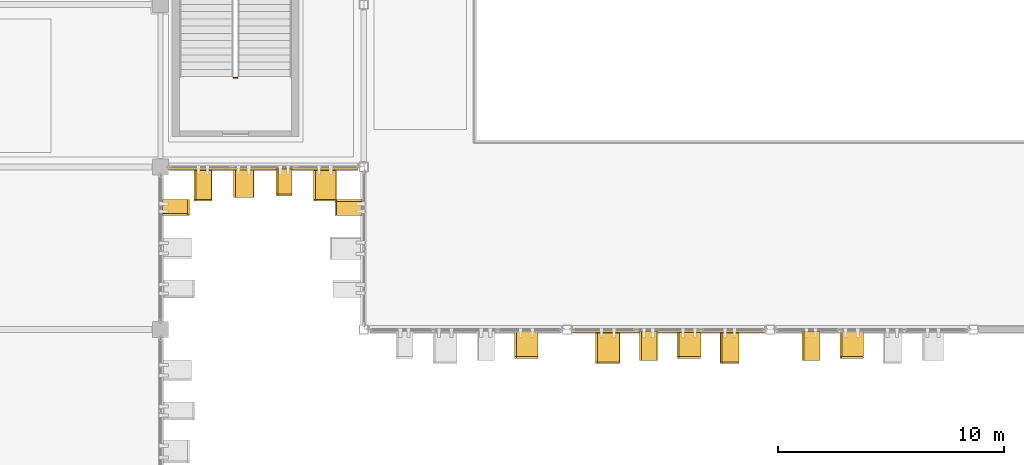
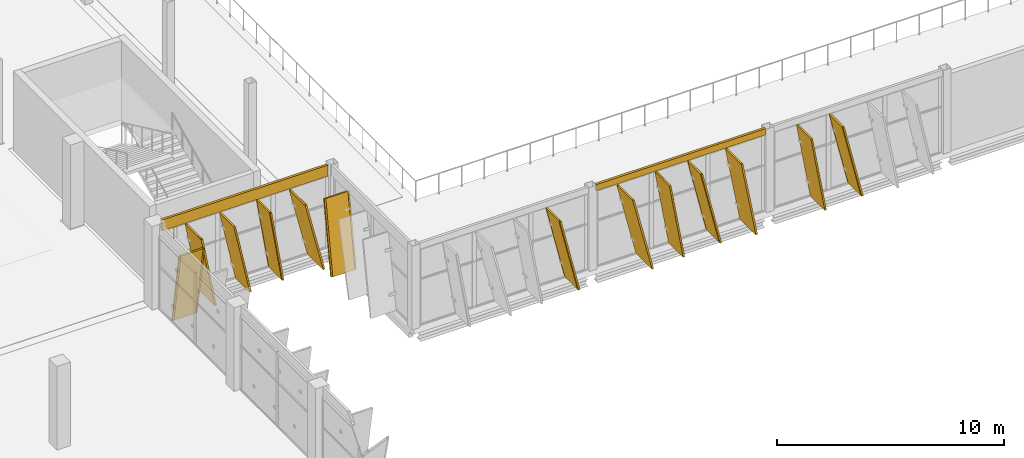
# One storey, part 137 of 151: 15 coverings, 13 shading devices, 1 railing.
"""IFC4 building model written with IfcOpenShell, lengths in metres."""

from ifc_helpers import new_model, si_unit, direction, frame, origin, origin_2d, place, context, subcontext, project, spatial, rectangle, circle, extrude, material, layer, layer_set, material_profile, profile_set, type_object, element, save


model = new_model("IFC4")

# Units and contexts
model_context = context("Model", 3, precision=1e-05, world=origin(), true_north=direction((0.0, 1.0)))
body_context = subcontext(model_context, "Body", "Model", "MODEL_VIEW")
ifc_project = project(units=[si_unit("LENGTHUNIT", "METRE"), si_unit("AREAUNIT", "SQUARE_METRE"), si_unit("VOLUMEUNIT", "CUBIC_METRE"), si_unit("PLANEANGLEUNIT", "RADIAN"), si_unit("MASSUNIT", "GRAM", prefix="KILO")], contexts=[model_context])

# Site, building, storey
site_placement = place(None, origin())
site = spatial("IfcSite", under=ifc_project, at=site_placement, CompositionType="ELEMENT")
building_placement = place(site_placement, origin())
building = spatial("IfcBuilding", under=site, at=building_placement, Name="Celestram Park Convention Centre", CompositionType="ELEMENT")
storey_placement = place(building_placement, frame((0.0, 0.0, 10.800048828125)))
storey = spatial("IfcBuildingStorey", under=building, at=storey_placement, Name="L02", CompositionType="ELEMENT", Elevation=10.800048828125)

# Coverings
ifc_material_1 = material(Name="Anodised Bronze Aluminium Spandrel Cladding", Category="aluminium")
ifc_layer_1 = layer(ifc_material_1, 0.050048828125)
ifc_layer_set_1 = layer_set([ifc_layer_1], Name="Anodised Bronze Aluminium Spandrel Cladding")
covering_type_1 = type_object("IfcCoveringType", Name="ARC-COV-CLD060", PredefinedType="CLADDING", material=ifc_layer_set_1)
covering_1_placement = place(storey_placement, frame((166.5, 115.1201171875, 4.1640625), z_axis=(0.0, 0.0, 1.0), x_axis=(-1.0, 0.0, 0.0)))
element("IfcCovering", 1, at=covering_1_placement, inside=storey, type_object=covering_type_1, Name="Bronze spandrel cladding CL-L02-177", PredefinedType="CLADDING", context=body_context, shape_type="SweptSolid", body=[
    extrude(rectangle(XDim=8.60400390625, YDim=0.1201171875, at=origin_2d()), origin(), (0.0, 0.0, 1.0), 0.3359375),
])
covering_2_placement = place(storey_placement, frame((148.5, 122.320068359375, 3.9140625), z_axis=(0.0, 0.0, 1.0), x_axis=(-1.0, 0.0, 0.0)))
element("IfcCovering", 2, at=covering_2_placement, inside=storey, type_object=covering_type_1, Name="Bronze spandrel cladding CL-L02-180", PredefinedType="CLADDING", context=body_context, shape_type="SweptSolid", body=[
    extrude(rectangle(XDim=8.4541015625, YDim=0.1201171875, at=origin_2d()), origin(), (0.0, 0.0, 1.0), 0.5859375),
])
ifc_material_2 = material(Name="Timber-Toned Anodised Aluminium Alloy 6063-T6", Category="wood")
ifc_material_profile_1 = material_profile(ifc_material_2, rectangle(XDim=1.1201171875, YDim=0.090087890625, at=origin_2d()), Name="REED1120X90")
ifc_profile_set_1 = profile_set([ifc_material_profile_1], Name="Timber-Toned Anodised Aluminium Alloy 6063-T6")
covering_type_2 = type_object("IfcCoveringType", Name="ARC-COV-FIN1120", PredefinedType="CLADDING", material=ifc_profile_set_1)
for number, where, z_axis, x_axis, name in (
    (3, (175.0791015625, 114.56005859375, 0.061279296875), (-0.231737624741, 0.0, 0.972778326896), (0.0, -1.0, 0.0), "Leaning timber-toned reed fin RFN-L02-0552"),
    (4, (167.87890625, 114.56005859375, 0.061279296875), (-0.231737624741, 0.0, 0.972778326896), (0.0, -1.0, 0.0), "Leaning timber-toned reed fin RFN-L02-0555"),
    (5, (160.678955078125, 114.56005859375, 0.061279296875), (-0.231737624741, 0.0, 0.972778326896), (0.0, -1.0, 0.0), "Leaning timber-toned reed fin RFN-L02-0558"),
):
    element("IfcCovering", number, at=place(storey_placement, frame(where, z_axis=z_axis, x_axis=x_axis)), inside=storey, type_object=covering_type_2, Name=name, PredefinedType="CLADDING", context=body_context, shape_type="SweptSolid", body=[
        extrude(rectangle(XDim=1.1201171875, YDim=0.090087890625, at=origin_2d()), origin(), (0.0, 0.0, 1.0), 4.134033203125),
    ])
for number, where, z_axis, x_axis, name in (
    (6, (152.360107421875, 120.28955078125, 0.030029296875), (0.0, 0.159850990721, 0.987141155441), (-1.0, 0.0, 0.0), "Leaning timber-toned reed fin RFN-L02-0564"),
    (7, (149.785400390625, 121.760009765625, 0.030029296875), (-0.159850990721, 0.0, 0.987141155441), (0.0, -1.0, 0.0), "Leaning timber-toned reed fin RFN-L02-0566"),
    (8, (144.639892578125, 120.910400390625, 0.030029296875), (0.0, -0.159850990721, 0.987141155441), (1.0, 0.0, 0.0), "Leaning timber-toned reed fin RFN-L02-0569"),
):
    element("IfcCovering", number, at=place(storey_placement, frame(where, z_axis=z_axis, x_axis=x_axis)), inside=storey, type_object=covering_type_2, Name=name, PredefinedType="CLADDING", context=body_context, shape_type="SweptSolid", body=[
        extrude(rectangle(XDim=1.1201171875, YDim=0.090087890625, at=origin_2d()), origin(), (0.0, 0.0, 1.0), 3.884033203125),
    ])
ifc_material_profile_2 = material_profile(ifc_material_2, rectangle(XDim=1.280029296875, YDim=0.090087890625, at=origin_2d()), Name="REED1280X90")
ifc_profile_set_2 = profile_set([ifc_material_profile_2], Name="Timber-Toned Anodised Aluminium Alloy 6063-T6")
covering_type_3 = type_object("IfcCoveringType", Name="ARC-COV-FIN1280", PredefinedType="CLADDING", material=ifc_profile_set_2)
for number, where, z_axis, x_axis, name in (
    (9, (173.15185546875, 114.47998046875, 0.03515625), (-0.170209503231, 0.0, 0.985407897781), (0.0, -1.0, 0.0), "Leaning timber-toned reed fin RFN-L02-0553"),
    (10, (165.951904296875, 114.47998046875, 0.03515625), (-0.170209503231, 0.0, 0.985407897781), (0.0, -1.0, 0.0), "Leaning timber-toned reed fin RFN-L02-0556"),
):
    element("IfcCovering", number, at=place(storey_placement, frame(where, z_axis=z_axis, x_axis=x_axis)), inside=storey, type_object=covering_type_3, Name=name, PredefinedType="CLADDING", context=body_context, shape_type="SweptSolid", body=[
        extrude(rectangle(XDim=1.280029296875, YDim=0.090087890625, at=origin_2d()), origin(), (0.0, 0.0, 1.0), 4.1337890625),
    ])
covering_3_placement = place(storey_placement, frame((148.08203125, 121.679931640625, 0.048095703125), z_axis=(-0.209623524504, 0.0, 0.97778217307), x_axis=(0.0, -1.0, 0.0)))
element("IfcCovering", 11, at=covering_3_placement, inside=storey, type_object=covering_type_3, Name="Leaning timber-toned reed fin RFN-L02-0567", PredefinedType="CLADDING", context=body_context, shape_type="SweptSolid", body=[
    extrude(rectangle(XDim=1.280029296875, YDim=0.090087890625, at=origin_2d()), origin(), (0.0, 0.0, 1.0), 3.884033203125),
])
ifc_material_profile_3 = material_profile(ifc_material_2, rectangle(XDim=1.419921875, YDim=0.090087890625, at=origin_2d()), Name="REED1420X90")
ifc_profile_set_3 = profile_set([ifc_material_profile_3], Name="Timber-Toned Anodised Aluminium Alloy 6063-T6")
covering_type_4 = type_object("IfcCoveringType", Name="ARC-COV-FIN1420", PredefinedType="CLADDING", material=ifc_profile_set_3)
covering_4_placement = place(storey_placement, frame((169.572998046875, 114.409912109375, 0.0390625), z_axis=(-0.18048595118, 0.0, 0.983577562486), x_axis=(0.0, -1.0, 0.0)))
element("IfcCovering", 12, at=covering_4_placement, inside=storey, type_object=covering_type_4, Name="Leaning timber-toned reed fin RFN-L02-0554", PredefinedType="CLADDING", context=body_context, shape_type="SweptSolid", body=[
    extrude(rectangle(XDim=1.419921875, YDim=0.090087890625, at=origin_2d()), origin(), (0.0, 0.0, 1.0), 4.1337890625),
])
covering_5_placement = place(storey_placement, frame((164.29296875, 114.409912109375, 0.064697265625), z_axis=(-0.238531575281, 0.0, 0.971134742244), x_axis=(0.0, -1.0, 0.0)))
element("IfcCovering", 13, at=covering_5_placement, inside=storey, type_object=covering_type_4, Name="Leaning timber-toned reed fin RFN-L02-0557", PredefinedType="CLADDING", context=body_context, shape_type="SweptSolid", body=[
    extrude(rectangle(XDim=1.419921875, YDim=0.090087890625, at=origin_2d()), origin(), (0.0, 0.0, 1.0), 4.134033203125),
])
for number, where, z_axis, x_axis, name in (
    (14, (151.73828125, 121.610107421875, 0.06103515625), (-0.238554897182, 0.0, 0.971129013587), (0.0, -1.0, 0.0), "Leaning timber-toned reed fin RFN-L02-0565"),
    (15, (146.2255859375, 121.610107421875, 0.036865234375), (-0.180533625065, 0.0, 0.98356881316), (0.0, -1.0, 0.0), "Leaning timber-toned reed fin RFN-L02-0568"),
):
    element("IfcCovering", number, at=place(storey_placement, frame(where, z_axis=z_axis, x_axis=x_axis)), inside=storey, type_object=covering_type_4, Name=name, PredefinedType="CLADDING", context=body_context, shape_type="SweptSolid", body=[
        extrude(rectangle(XDim=1.419921875, YDim=0.090087890625, at=origin_2d()), origin(), (0.0, 0.0, 1.0), 3.8837890625),
    ])

# Shading devices
ifc_material_3 = material(Name="Anodised Bronze Aluminium Alloy 6063-T6", Category="aluminium")
ifc_material_profile_4 = material_profile(ifc_material_3, rectangle(XDim=1.280029296875, YDim=0.080078125, at=origin_2d()), Name="FIN1280X80")
ifc_profile_set_4 = profile_set([ifc_material_profile_4], Name="Anodised Bronze Aluminium Alloy 6063-T6")
shading_device_type = type_object("IfcShadingDeviceType", Name="ARC-FIN-BZ1280", PredefinedType="USERDEFINED", material=ifc_profile_set_4)
shading_device_1_placement = place(storey_placement, frame((175.0791015625, 114.56005859375, 0.061279296875), z_axis=(-0.231737624741, 0.0, 0.972778326896), x_axis=(0.0, -1.0, 0.0)))
element("IfcShadingDevice", 16, at=shading_device_1_placement, inside=storey, type_object=shading_device_type, Name="Expressive solar fin FN-L02-0552", ObjectType="SOLAR_FIN", PredefinedType="USERDEFINED", context=body_context, shape_type="SweptSolid", body=[
    extrude(rectangle(XDim=1.280029296875, YDim=0.080078125, at=origin_2d()), origin(), (0.0, 0.0, 1.0), 4.134033203125),
])
for number, where, z_axis, x_axis, name in (
    (17, (173.15185546875, 114.47998046875, 0.03515625), (-0.170209503231, 0.0, 0.985407897781), (0.0, -1.0, 0.0), "Expressive solar fin FN-L02-0553"),
    (18, (169.572998046875, 114.409912109375, 0.0390625), (-0.18048595118, 0.0, 0.983577562486), (0.0, -1.0, 0.0), "Expressive solar fin FN-L02-0554"),
):
    element("IfcShadingDevice", number, at=place(storey_placement, frame(where, z_axis=z_axis, x_axis=x_axis)), inside=storey, type_object=shading_device_type, Name=name, ObjectType="SOLAR_FIN", PredefinedType="USERDEFINED", context=body_context, shape_type="SweptSolid", body=[
        extrude(rectangle(XDim=1.280029296875, YDim=0.080078125, at=origin_2d()), origin(), (0.0, 0.0, 1.0), 4.1337890625),
    ])
shading_device_2_placement = place(storey_placement, frame((167.87890625, 114.56005859375, 0.061279296875), z_axis=(-0.231737624741, 0.0, 0.972778326896), x_axis=(0.0, -1.0, 0.0)))
element("IfcShadingDevice", 19, at=shading_device_2_placement, inside=storey, type_object=shading_device_type, Name="Expressive solar fin FN-L02-0555", ObjectType="SOLAR_FIN", PredefinedType="USERDEFINED", context=body_context, shape_type="SweptSolid", body=[
    extrude(rectangle(XDim=1.280029296875, YDim=0.080078125, at=origin_2d()), origin(), (0.0, 0.0, 1.0), 4.134033203125),
])
shading_device_3_placement = place(storey_placement, frame((165.951904296875, 114.47998046875, 0.03515625), z_axis=(-0.170209503231, 0.0, 0.985407897781), x_axis=(0.0, -1.0, 0.0)))
element("IfcShadingDevice", 20, at=shading_device_3_placement, inside=storey, type_object=shading_device_type, Name="Expressive solar fin FN-L02-0556", ObjectType="SOLAR_FIN", PredefinedType="USERDEFINED", context=body_context, shape_type="SweptSolid", body=[
    extrude(rectangle(XDim=1.280029296875, YDim=0.080078125, at=origin_2d()), origin(), (0.0, 0.0, 1.0), 4.1337890625),
])
for number, where, z_axis, x_axis, name in (
    (21, (164.29296875, 114.409912109375, 0.064697265625), (-0.238531575281, 0.0, 0.971134742244), (0.0, -1.0, 0.0), "Expressive solar fin FN-L02-0557"),
    (22, (160.678955078125, 114.56005859375, 0.061279296875), (-0.231737624741, 0.0, 0.972778326896), (0.0, -1.0, 0.0), "Expressive solar fin FN-L02-0558"),
):
    element("IfcShadingDevice", number, at=place(storey_placement, frame(where, z_axis=z_axis, x_axis=x_axis)), inside=storey, type_object=shading_device_type, Name=name, ObjectType="SOLAR_FIN", PredefinedType="USERDEFINED", context=body_context, shape_type="SweptSolid", body=[
        extrude(rectangle(XDim=1.280029296875, YDim=0.080078125, at=origin_2d()), origin(), (0.0, 0.0, 1.0), 4.134033203125),
    ])
shading_device_4_placement = place(storey_placement, frame((152.360107421875, 120.28955078125, 0.030029296875), z_axis=(0.0, 0.159850990721, 0.987141155441), x_axis=(-1.0, 0.0, 0.0)))
element("IfcShadingDevice", 23, at=shading_device_4_placement, inside=storey, type_object=shading_device_type, Name="Expressive solar fin FN-L02-0564", ObjectType="SOLAR_FIN", PredefinedType="USERDEFINED", context=body_context, shape_type="SweptSolid", body=[
    extrude(rectangle(XDim=1.280029296875, YDim=0.080078125, at=origin_2d()), origin(), (0.0, 0.0, 1.0), 3.884033203125),
])
shading_device_5_placement = place(storey_placement, frame((151.73828125, 121.610107421875, 0.06103515625), z_axis=(-0.238554897182, 0.0, 0.971129013587), x_axis=(0.0, -1.0, 0.0)))
element("IfcShadingDevice", 24, at=shading_device_5_placement, inside=storey, type_object=shading_device_type, Name="Expressive solar fin FN-L02-0565", ObjectType="SOLAR_FIN", PredefinedType="USERDEFINED", context=body_context, shape_type="SweptSolid", body=[
    extrude(rectangle(XDim=1.280029296875, YDim=0.080078125, at=origin_2d()), origin(), (0.0, 0.0, 1.0), 3.8837890625),
])
for number, where, z_axis, x_axis, name in (
    (25, (149.785400390625, 121.760009765625, 0.030029296875), (-0.159850990721, 0.0, 0.987141155441), (0.0, -1.0, 0.0), "Expressive solar fin FN-L02-0566"),
    (26, (148.08203125, 121.679931640625, 0.048095703125), (-0.209623524504, 0.0, 0.97778217307), (0.0, -1.0, 0.0), "Expressive solar fin FN-L02-0567"),
):
    element("IfcShadingDevice", number, at=place(storey_placement, frame(where, z_axis=z_axis, x_axis=x_axis)), inside=storey, type_object=shading_device_type, Name=name, ObjectType="SOLAR_FIN", PredefinedType="USERDEFINED", context=body_context, shape_type="SweptSolid", body=[
        extrude(rectangle(XDim=1.280029296875, YDim=0.080078125, at=origin_2d()), origin(), (0.0, 0.0, 1.0), 3.884033203125),
    ])
shading_device_6_placement = place(storey_placement, frame((146.2255859375, 121.610107421875, 0.036865234375), z_axis=(-0.180533625065, 0.0, 0.98356881316), x_axis=(0.0, -1.0, 0.0)))
element("IfcShadingDevice", 27, at=shading_device_6_placement, inside=storey, type_object=shading_device_type, Name="Expressive solar fin FN-L02-0568", ObjectType="SOLAR_FIN", PredefinedType="USERDEFINED", context=body_context, shape_type="SweptSolid", body=[
    extrude(rectangle(XDim=1.280029296875, YDim=0.080078125, at=origin_2d()), origin(), (0.0, 0.0, 1.0), 3.8837890625),
])
shading_device_7_placement = place(storey_placement, frame((144.639892578125, 120.910400390625, 0.030029296875), z_axis=(0.0, -0.159850990721, 0.987141155441), x_axis=(1.0, 0.0, 0.0)))
element("IfcShadingDevice", 28, at=shading_device_7_placement, inside=storey, type_object=shading_device_type, Name="Expressive solar fin FN-L02-0569", ObjectType="SOLAR_FIN", PredefinedType="USERDEFINED", context=body_context, shape_type="SweptSolid", body=[
    extrude(rectangle(XDim=1.280029296875, YDim=0.080078125, at=origin_2d()), origin(), (0.0, 0.0, 1.0), 3.884033203125),
])

# Railing
ifc_material_4 = material(Name="Stainless Steel AISI 316L & Laminated Glass", Category="steel")
ifc_layer_2 = layer(ifc_material_4, 0.06005859375)
ifc_layer_set_2 = layer_set([ifc_layer_2], Name="Stainless Steel AISI 316L & Laminated Glass")
railing_type = type_object("IfcRailingType", Name="ARC-RL-GRD1120", PredefinedType="GUARDRAIL", material=ifc_layer_set_2)
railing_placement = place(storey_placement, frame((147.39990234375, 126.35009765625, 0.0)))
element("IfcRailing", 29, at=railing_placement, inside=storey, type_object=railing_type, Name="L02 ST-10 stair guard 4", PredefinedType="GUARDRAIL", context=body_context, shape_type="SweptSolid", body=[
    extrude(circle(Radius=0.02392578125, at=origin_2d()), frame((0.0, 0.0, 1.09619140625), z_axis=(-1.0, 0.0, 0.0), x_axis=(0.0, -1.0, 0.0)), (0.0, 0.0, 1.0), 0.159912109375),
    extrude(circle(Radius=0.02099609375, at=origin_2d()), origin(), (0.0, 0.0, 1.0), 1.072021484375),
    extrude(circle(Radius=0.02099609375, at=origin_2d()), frame((-0.159912109375, 0.0, 0.0)), (0.0, 0.0, 1.0), 1.072021484375),
])

save(model, "model.ifc")
